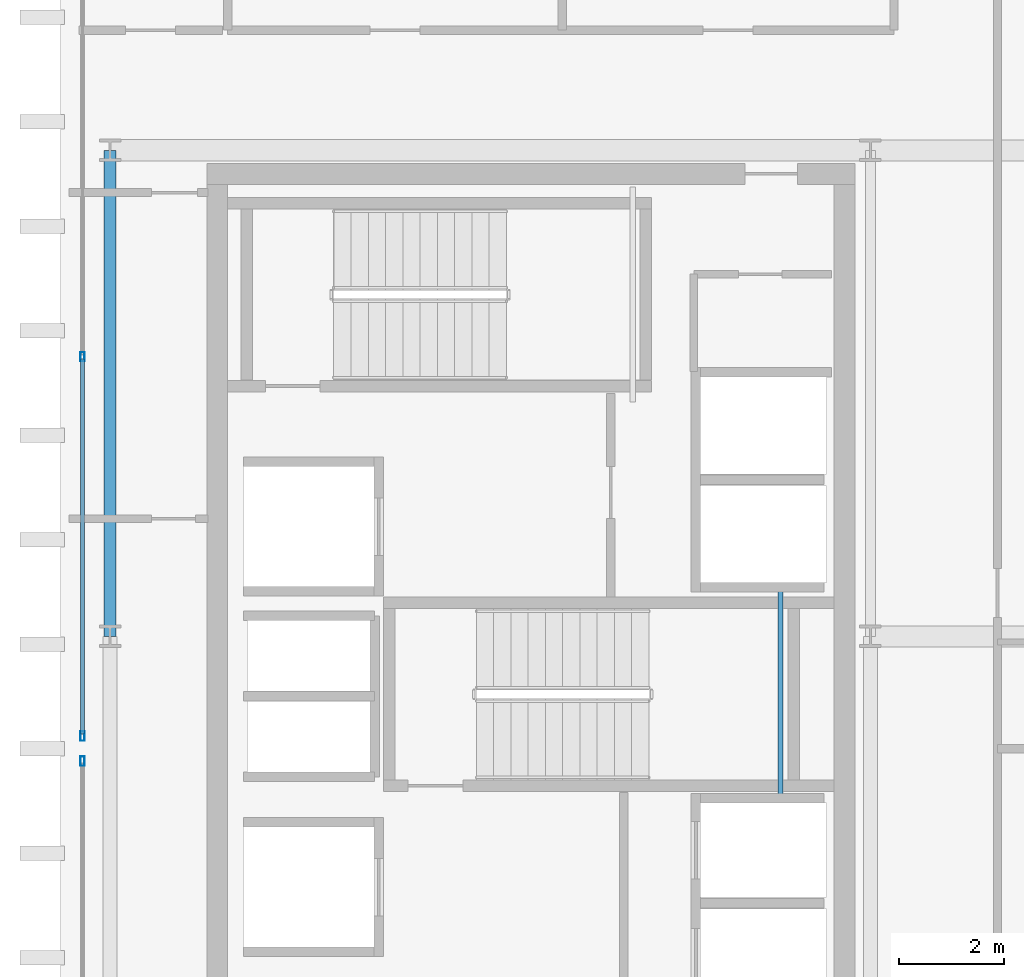
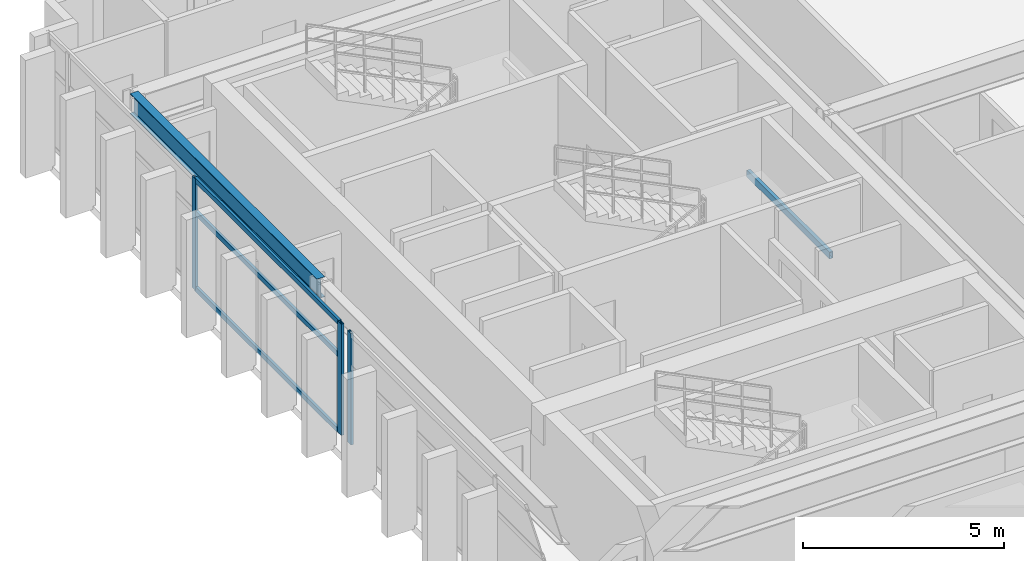
# One storey, part 6 of 15: 6 members, 2 beams, 2 elements without a shape of their own.
"""IFC4 building model written with IfcOpenShell, lengths in metres."""

from ifc_helpers import new_model, si_unit, direction, frame, origin, origin_2d, place, context, subcontext, project, spatial, hollow_rectangle, i_section, extrude, source, transform, mapped, material, layer, layer_set, material_profile, profile_set, type_object, element, aggregate, save


model = new_model("IFC4")

# Units and contexts
model_context = context("Model", 3, precision=1e-05, world=origin(), true_north=direction((0.0, 1.0)))
body_context = subcontext(model_context, "Body", "Model", "MODEL_VIEW")
ifc_project = project(units=[si_unit("LENGTHUNIT", "METRE"), si_unit("AREAUNIT", "SQUARE_METRE"), si_unit("VOLUMEUNIT", "CUBIC_METRE"), si_unit("PLANEANGLEUNIT", "RADIAN"), si_unit("MASSUNIT", "GRAM", prefix="KILO")], contexts=[model_context])

# Site, building, storey
site_placement = place(None, origin())
site = spatial("IfcSite", under=ifc_project, at=site_placement, CompositionType="ELEMENT")
building_placement = place(site_placement, origin())
building = spatial("IfcBuilding", under=site, at=building_placement, Name="Ocotamira Hotel", CompositionType="ELEMENT")
storey_placement = place(building_placement, frame((0.0, 0.0, 294.0)))
storey = spatial("IfcBuildingStorey", under=building, at=storey_placement, Name="L75", CompositionType="ELEMENT", Elevation=294.0)

# Beams
ifc_material_1 = material(Name="Steel ASTM A500 Grade C", Category="steel")
ifc_material_profile_1 = material_profile(ifc_material_1, hollow_rectangle(XDim=0.10009765625, YDim=0.199951171875, WallThickness=0.008056640625, at=origin_2d()), Name="HSS200X100X8")
ifc_profile_set_1 = profile_set([ifc_material_profile_1], Name="Steel ASTM A500 Grade C")
beam_type_1 = type_object("IfcBeamType", Name="BM-STLDG-HSS200", PredefinedType="BEAM", material=ifc_profile_set_1)
shared_shape_1 = source(origin(), body_context, "Body", "SweptSolid", [
    extrude(hollow_rectangle(XDim=0.10009765625, YDim=0.199951171875, WallThickness=0.008056640625, at=origin_2d()), origin(), (0.0, 0.0, 1.0), 4.1201171875),
])
beam_1_placement = place(storey_placement, frame((21.780029296875, 24.97998046875, 1.5), z_axis=(0.0, 1.0, 0.0), x_axis=(-1.0, 0.0, 0.0)))
element("IfcBeam", 1, at=beam_1_placement, inside=storey, type_object=beam_type_1, Name="L75 Stair ST-3 Landing Bearer 1", PredefinedType="BEAM", context=body_context, shape_type="MappedRepresentation", body=[
    mapped(shared_shape_1, transform((0.0, 0.0, 0.0), scale=1.0)),
])
ifc_material_2 = material(Name="Steel ASTM A992 Grade 50", Category="steel")
ifc_material_profile_2 = material_profile(ifc_material_2, i_section(OverallWidth=0.22998046875, OverallDepth=0.616943359375, WebThickness=0.01318359375, FlangeThickness=0.022216796875, FilletRadius=0.012939453125, at=origin_2d()), Name="W24X94")
ifc_profile_set_2 = profile_set([ifc_material_profile_2], Name="Steel ASTM A992 Grade 50")
beam_type_2 = type_object("IfcBeamType", Name="BM-PRIM-W24X94", PredefinedType="BEAM", material=ifc_profile_set_2)
shared_shape_2 = source(origin(), body_context, "Body", "SweptSolid", [
    extrude(i_section(OverallWidth=0.22998046875, OverallDepth=0.616943359375, WebThickness=0.01318359375, FlangeThickness=0.022216796875, FilletRadius=0.012939453125, at=origin_2d()), origin(), (0.0, 0.0, 1.0), 9.300048828125),
])
beam_2_placement = place(storey_placement, frame((8.949951171875, 28.14990234375, 3.071533203125), z_axis=(0.0, 1.0, 0.0), x_axis=(-1.0, 0.0, 0.0)))
element("IfcBeam", 2, at=beam_2_placement, inside=storey, type_object=beam_type_2, Name="L75 Beam X8.95 Y28.15-37.45", PredefinedType="BEAM", context=body_context, shape_type="MappedRepresentation", body=[
    mapped(shared_shape_2, transform((0.0, 0.0, 0.0), scale=1.0)),
])

# Curtain wall, member
ifc_material_3 = material(Name="Anodised pale-metal aluminium and solar glass", Category="aluminium")
ifc_layer = layer(ifc_material_3, 0.2099609375)
ifc_layer_set = layer_set([ifc_layer], Name="Anodised pale-metal aluminium and solar glass")
curtain_wall_type = type_object("IfcCurtainWallType", Name="CW-SYS7-PEAK", PredefinedType="NOTDEFINED", material=ifc_layer_set)
curtain_wall_1_placement = place(storey_placement, origin())
curtain_wall_1 = element("IfcCurtainWall", 3, at=curtain_wall_1_placement, inside=storey, type_object=curtain_wall_type, Name="L75 Curtain Wall CW-7 CW-L75-W1", PredefinedType="NOTDEFINED")
ifc_material_4 = material(Name="Anodised pale-metal aluminium 6063-T6", Category="aluminium")
ifc_material_profile_3 = material_profile(ifc_material_4, hollow_rectangle(XDim=0.080078125, YDim=0.179931640625, WallThickness=0.006103515625, at=origin_2d()), Name="HSS180X80X6")
ifc_profile_set_3 = profile_set([ifc_material_profile_3], Name="Anodised pale-metal aluminium 6063-T6")
member_type_1 = type_object("IfcMemberType", Name="CWM-180X75", PredefinedType="MULLION", material=ifc_profile_set_3)
shared_shape_3 = source(origin(), body_context, "Body", "SweptSolid", [
    extrude(hollow_rectangle(XDim=0.080078125, YDim=0.179931640625, WallThickness=0.006103515625, at=origin_2d()), origin(), (0.0, 0.0, 1.0), 3.3798828125),
])
member_1_placement = place(storey_placement, frame((8.419921875, 25.760009765625, 0.0), z_axis=(0.0, 0.0, 1.0), x_axis=(-1.0, 0.0, 0.0)))
member_1 = element("IfcMember", 4, at=member_1_placement, type_object=member_type_1, Name="CW-7 mullion 3", PredefinedType="MULLION", context=body_context, shape_type="MappedRepresentation", body=[
    mapped(shared_shape_3, transform((0.0, 0.0, 0.0), scale=1.0)),
])
aggregate(curtain_wall_1, [member_1])

# Curtain wall, members
curtain_wall_2_placement = place(storey_placement, origin())
curtain_wall_2 = element("IfcCurtainWall", 5, at=curtain_wall_2_placement, inside=storey, type_object=curtain_wall_type, Name="L75 Curtain Wall CW-7 CW-L75-W2", PredefinedType="NOTDEFINED")
member_2_placement = place(storey_placement, frame((8.419921875, 26.239990234375, 0.0), z_axis=(0.0, 0.0, 1.0), x_axis=(-1.0, 0.0, 0.0)))
member_2 = element("IfcMember", 6, at=member_2_placement, type_object=member_type_1, Name="CW-7 mullion 1", PredefinedType="MULLION", context=body_context, shape_type="MappedRepresentation", body=[
    mapped(shared_shape_3, transform((0.0, 0.0, 0.0), scale=1.0)),
])
member_3_placement = place(storey_placement, frame((8.419921875, 33.5, 0.0), z_axis=(0.0, 0.0, 1.0), x_axis=(-1.0, 0.0, 0.0)))
member_3 = element("IfcMember", 7, at=member_3_placement, type_object=member_type_1, Name="CW-7 mullion 2", PredefinedType="MULLION", context=body_context, shape_type="MappedRepresentation", body=[
    mapped(shared_shape_3, transform((0.0, 0.0, 0.0), scale=1.0)),
])
ifc_material_profile_4 = material_profile(ifc_material_4, hollow_rectangle(XDim=0.074951171875, YDim=0.14990234375, WallThickness=0.006103515625, at=origin_2d()), Name="HSS150X75X6")
ifc_profile_set_4 = profile_set([ifc_material_profile_4], Name="Anodised pale-metal aluminium 6063-T6")
member_type_2 = type_object("IfcMemberType", Name="CWT-150X75", PredefinedType="USERDEFINED", material=ifc_profile_set_4)
shared_shape_4 = source(origin(), body_context, "Body", "SweptSolid", [
    extrude(hollow_rectangle(XDim=0.074951171875, YDim=0.14990234375, WallThickness=0.006103515625, at=origin_2d()), origin(), (0.0, 0.0, 1.0), 7.179931640625),
])
member_4_placement = place(storey_placement, frame((8.419921875, 26.280029296875, 0.03759765625), z_axis=(0.0, 1.0, 0.0), x_axis=(-1.0, 0.0, 0.0)))
member_4 = element("IfcMember", 8, at=member_4_placement, type_object=member_type_2, Name="CW-7 transom 1.1", ObjectType="TRANSOM", PredefinedType="USERDEFINED", context=body_context, shape_type="MappedRepresentation", body=[
    mapped(shared_shape_4, transform((0.0, 0.0, 0.0), scale=1.0)),
])
member_5_placement = place(storey_placement, frame((8.419921875, 26.280029296875, 2.35009765625), z_axis=(0.0, 1.0, 0.0), x_axis=(-1.0, 0.0, 0.0)))
member_5 = element("IfcMember", 9, at=member_5_placement, type_object=member_type_2, Name="CW-7 transom 1.2", ObjectType="TRANSOM", PredefinedType="USERDEFINED", context=body_context, shape_type="MappedRepresentation", body=[
    mapped(shared_shape_4, transform((0.0, 0.0, 0.0), scale=1.0)),
])
member_6_placement = place(storey_placement, frame((8.419921875, 26.280029296875, 3.342529296875), z_axis=(0.0, 1.0, 0.0), x_axis=(-1.0, 0.0, 0.0)))
member_6 = element("IfcMember", 10, at=member_6_placement, type_object=member_type_2, Name="CW-7 transom 1.3", ObjectType="TRANSOM", PredefinedType="USERDEFINED", context=body_context, shape_type="MappedRepresentation", body=[
    mapped(shared_shape_4, transform((0.0, 0.0, 0.0), scale=1.0)),
])
aggregate(curtain_wall_2, [member_2, member_3, member_4, member_5, member_6])

save(model, "model.ifc")
